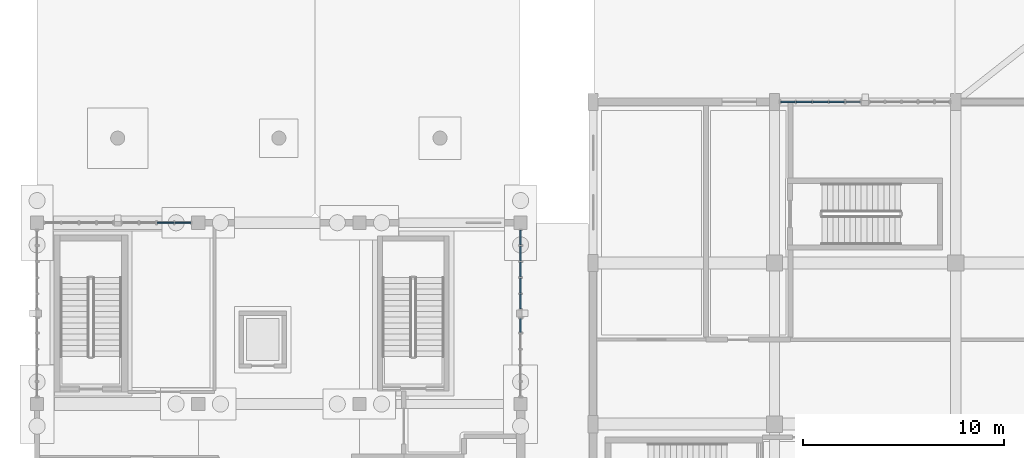
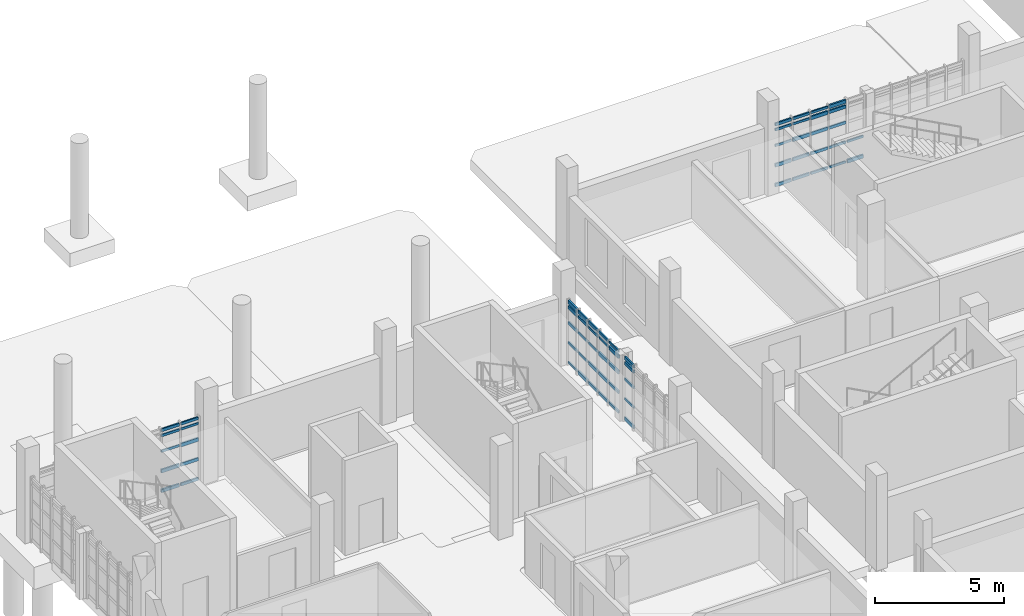
# One storey, part 25 of 63: 62 members, 4 elements without a shape of their own.
"""IFC4 building model written with IfcOpenShell, lengths in metres."""

from ifc_helpers import new_model, si_unit, direction, frame, origin, origin_2d, place, context, subcontext, project, spatial, rectangle, extrude, material, material_profile, profile_set, type_object, element, aggregate, save


model = new_model("IFC4")

# Units and contexts
model_context = context("Model", 3, precision=1e-05, world=origin(), true_north=direction((0.0, 1.0)))
body_context = subcontext(model_context, "Body", "Model", "MODEL_VIEW")
ifc_project = project(units=[si_unit("LENGTHUNIT", "METRE"), si_unit("AREAUNIT", "SQUARE_METRE"), si_unit("VOLUMEUNIT", "CUBIC_METRE"), si_unit("PLANEANGLEUNIT", "RADIAN"), si_unit("MASSUNIT", "GRAM", prefix="KILO")], contexts=[model_context])

# Site, building, storey
site_placement = place(None, origin())
site = spatial("IfcSite", under=ifc_project, at=site_placement, CompositionType="ELEMENT")
building_placement = place(site_placement, origin())
building = spatial("IfcBuilding", under=site, at=building_placement, Name="Serraforn Aerial Cableway Station", CompositionType="ELEMENT")
storey_placement = place(building_placement, origin())
storey = spatial("IfcBuildingStorey", under=building, at=storey_placement, Name="L00", CompositionType="ELEMENT", Elevation=0.0)

# Curtain wall, members
ifc_material_1 = material(Name="Anodised bronze unitised curtain wall")
curtain_wall_type_1 = type_object("IfcCurtainWallType", Name="CW-SYS-1", PredefinedType="USERDEFINED", material=ifc_material_1)
curtain_wall_1_placement = place(storey_placement, origin())
curtain_wall_1 = element("IfcCurtainWall", 1, at=curtain_wall_1_placement, inside=storey, type_object=curtain_wall_type_1, Name="Unitised Curtain Wall CW-W-L00-N1A", ObjectType="UNITISED CURTAIN WALL", PredefinedType="USERDEFINED")
ifc_material_2 = material(Name="Anodised bronze extruded aluminium", Category="aluminium")
ifc_material_profile_1 = material_profile(ifc_material_2, rectangle(XDim=0.054931640625, YDim=0.110107421875, at=origin_2d()), Name="CW TRANSOM 55x110")
ifc_profile_set_1 = profile_set([ifc_material_profile_1], Name="Anodised bronze extruded aluminium")
member_type_1 = type_object("IfcMemberType", Name="CW-TRN-1", PredefinedType="USERDEFINED", material=ifc_profile_set_1)
member_1_placement = place(storey_placement, frame((7.618896484375, 36.0, 2.74560546875), z_axis=(-1.0, 0.0, 0.0), x_axis=(0.0, -1.0, 0.0)))
member_1 = element("IfcMember", 2, at=member_1_placement, type_object=member_type_1, Name="Curtain Wall Transom CW-W-L00-N1A-T1-4", ObjectType="TRANSOM", PredefinedType="USERDEFINED", context=body_context, shape_type="SweptSolid", body=[
    extrude(rectangle(XDim=0.054931640625, YDim=0.110107421875, at=origin_2d()), origin(), (0.0, 0.0, 1.0), 0.78564453125),
])
member_2_placement = place(storey_placement, frame((6.772216796875, 36.0, 1.996826171875), z_axis=(-1.0, 0.0, 0.0), x_axis=(0.0, -1.0, 0.0)))
member_2 = element("IfcMember", 3, at=member_2_placement, type_object=member_type_1, Name="Curtain Wall Transom CW-W-L00-N1A-T2-3", ObjectType="TRANSOM", PredefinedType="USERDEFINED", context=body_context, shape_type="SweptSolid", body=[
    extrude(rectangle(XDim=0.054931640625, YDim=0.110107421875, at=origin_2d()), origin(), (0.0, 0.0, 1.0), 0.810791015625),
])

# Curtain wall, member
curtain_wall_type_2 = type_object("IfcCurtainWallType", Name="CW-SYS-9", PredefinedType="USERDEFINED", material=ifc_material_1)
curtain_wall_2_placement = place(storey_placement, origin())
curtain_wall_2 = element("IfcCurtainWall", 4, at=curtain_wall_2_placement, inside=storey, type_object=curtain_wall_type_2, Name="Unitised Curtain Wall CW-W-L00-E4A", ObjectType="UNITISED CURTAIN WALL", PredefinedType="USERDEFINED")
member_3_placement = place(storey_placement, frame((24.0, 30.5537109375, 1.060791015625), z_axis=(0.0, 1.0, 0.0), x_axis=(-1.0, 0.0, 0.0)))
member_3 = element("IfcMember", 5, at=member_3_placement, type_object=member_type_1, Name="Curtain Wall Transom CW-W-L00-E4A-T5-2", ObjectType="TRANSOM", PredefinedType="USERDEFINED", context=body_context, shape_type="SweptSolid", body=[
    extrude(rectangle(XDim=0.054931640625, YDim=0.110107421875, at=origin_2d()), origin(), (0.0, 0.0, 1.0), 0.693359375),
])

# Curtain wall, members
curtain_wall_type_3 = type_object("IfcCurtainWallType", Name="CW-SYS-10", PredefinedType="USERDEFINED", material=ifc_material_1)
curtain_wall_3_placement = place(storey_placement, origin())
curtain_wall_3 = element("IfcCurtainWall", 6, at=curtain_wall_3_placement, inside=storey, type_object=curtain_wall_type_3, Name="Unitised Curtain Wall CW-W-L00-E4B", ObjectType="UNITISED CURTAIN WALL", PredefinedType="USERDEFINED")
member_4_placement = place(storey_placement, frame((24.0, 31.73291015625, 2.9951171875), z_axis=(0.0, 1.0, 0.0), x_axis=(-1.0, 0.0, 0.0)))
member_4 = element("IfcMember", 7, at=member_4_placement, type_object=member_type_1, Name="Curtain Wall Transom CW-W-L00-E4B-T1-5", ObjectType="TRANSOM", PredefinedType="USERDEFINED", context=body_context, shape_type="SweptSolid", body=[
    extrude(rectangle(XDim=0.054931640625, YDim=0.110107421875, at=origin_2d()), origin(), (0.0, 0.0, 1.0), 0.718505859375),
])
member_5_placement = place(storey_placement, frame((24.0, 32.50732421875, 2.74560546875), z_axis=(0.0, 1.0, 0.0), x_axis=(-1.0, 0.0, 0.0)))
member_5 = element("IfcMember", 8, at=member_5_placement, type_object=member_type_1, Name="Curtain Wall Transom CW-W-L00-E4B-T2-4", ObjectType="TRANSOM", PredefinedType="USERDEFINED", context=body_context, shape_type="SweptSolid", body=[
    extrude(rectangle(XDim=0.054931640625, YDim=0.110107421875, at=origin_2d()), origin(), (0.0, 0.0, 1.0), 0.740966796875),
])
member_6_placement = place(storey_placement, frame((24.0, 33.309326171875, 1.996826171875), z_axis=(0.0, 1.0, 0.0), x_axis=(-1.0, 0.0, 0.0)))
member_6 = element("IfcMember", 9, at=member_6_placement, type_object=member_type_1, Name="Curtain Wall Transom CW-W-L00-E4B-T3-3", ObjectType="TRANSOM", PredefinedType="USERDEFINED", context=body_context, shape_type="SweptSolid", body=[
    extrude(rectangle(XDim=0.054931640625, YDim=0.110107421875, at=origin_2d()), origin(), (0.0, 0.0, 1.0), 0.73583984375),
])
member_7_placement = place(storey_placement, frame((24.0, 34.111083984375, 1.060791015625), z_axis=(0.0, 1.0, 0.0), x_axis=(-1.0, 0.0, 0.0)))
member_7 = element("IfcMember", 10, at=member_7_placement, type_object=member_type_1, Name="Curtain Wall Transom CW-W-L00-E4B-T4-2", ObjectType="TRANSOM", PredefinedType="USERDEFINED", context=body_context, shape_type="SweptSolid", body=[
    extrude(rectangle(XDim=0.054931640625, YDim=0.110107421875, at=origin_2d()), origin(), (0.0, 0.0, 1.0), 0.73095703125),
])
member_8_placement = place(storey_placement, frame((24.0, 34.9130859375, 0.124755859375), z_axis=(0.0, 1.0, 0.0), x_axis=(-1.0, 0.0, 0.0)))
member_8 = element("IfcMember", 11, at=member_8_placement, type_object=member_type_1, Name="Curtain Wall Transom CW-W-L00-E4B-T5-1", ObjectType="TRANSOM", PredefinedType="USERDEFINED", context=body_context, shape_type="SweptSolid", body=[
    extrude(rectangle(XDim=0.054931640625, YDim=0.110107421875, at=origin_2d()), origin(), (0.0, 0.0, 1.0), 0.7109375),
])

curtain_wall_type_4 = type_object("IfcCurtainWallType", Name="CW-SYS-2", PredefinedType="USERDEFINED", material=ifc_material_1)
curtain_wall_4_placement = place(storey_placement, origin())
curtain_wall_4 = element("IfcCurtainWall", 12, at=curtain_wall_4_placement, inside=storey, type_object=curtain_wall_type_4, Name="Unitised Curtain Wall CW-CV-L00-N2B", ObjectType="UNITISED CURTAIN WALL", PredefinedType="USERDEFINED")
member_9_placement = place(storey_placement, frame((40.85205078125, 42.0, 1.060791015625), z_axis=(-1.0, 0.0, 0.0), x_axis=(0.0, -1.0, 0.0)))
member_9 = element("IfcMember", 13, at=member_9_placement, type_object=member_type_1, Name="Curtain Wall Transom CW-CV-L00-N2B-T1-2", ObjectType="TRANSOM", PredefinedType="USERDEFINED", context=body_context, shape_type="SweptSolid", body=[
    extrude(rectangle(XDim=0.054931640625, YDim=0.110107421875, at=origin_2d()), origin(), (0.0, 0.0, 1.0), 0.7109375),
])
member_10_placement = place(storey_placement, frame((40.070068359375, 42.0, 0.124755859375), z_axis=(-1.0, 0.0, 0.0), x_axis=(0.0, -1.0, 0.0)))
member_10 = element("IfcMember", 14, at=member_10_placement, type_object=member_type_1, Name="Curtain Wall Transom CW-CV-L00-N2B-T2-1", ObjectType="TRANSOM", PredefinedType="USERDEFINED", context=body_context, shape_type="SweptSolid", body=[
    extrude(rectangle(XDim=0.054931640625, YDim=0.110107421875, at=origin_2d()), origin(), (0.0, 0.0, 1.0), 0.75341796875),
])
member_11_placement = place(storey_placement, frame((39.265625, 42.0, 2.9951171875), z_axis=(-1.0, 0.0, 0.0), x_axis=(0.0, -1.0, 0.0)))
member_11 = element("IfcMember", 15, at=member_11_placement, type_object=member_type_1, Name="Curtain Wall Transom CW-CV-L00-N2B-T3-5", ObjectType="TRANSOM", PredefinedType="USERDEFINED", context=body_context, shape_type="SweptSolid", body=[
    extrude(rectangle(XDim=0.054931640625, YDim=0.110107421875, at=origin_2d()), origin(), (0.0, 0.0, 1.0), 0.7607421875),
])
member_12_placement = place(storey_placement, frame((38.44873046875, 42.0, 2.74560546875), z_axis=(-1.0, 0.0, 0.0), x_axis=(0.0, -1.0, 0.0)))
member_12 = element("IfcMember", 16, at=member_12_placement, type_object=member_type_1, Name="Curtain Wall Transom CW-CV-L00-N2B-T4-4", ObjectType="TRANSOM", PredefinedType="USERDEFINED", context=body_context, shape_type="SweptSolid", body=[
    extrude(rectangle(XDim=0.054931640625, YDim=0.110107421875, at=origin_2d()), origin(), (0.0, 0.0, 1.0), 0.755859375),
])
member_13_placement = place(storey_placement, frame((37.6318359375, 42.0, 1.996826171875), z_axis=(-1.0, 0.0, 0.0), x_axis=(0.0, -1.0, 0.0)))
member_13 = element("IfcMember", 17, at=member_13_placement, type_object=member_type_1, Name="Curtain Wall Transom CW-CV-L00-N2B-T5-3", ObjectType="TRANSOM", PredefinedType="USERDEFINED", context=body_context, shape_type="SweptSolid", body=[
    extrude(rectangle(XDim=0.054931640625, YDim=0.110107421875, at=origin_2d()), origin(), (0.0, 0.0, 1.0), 0.7158203125),
])

# Member
ifc_material_profile_2 = material_profile(ifc_material_2, rectangle(XDim=0.06005859375, YDim=0.1201171875, at=origin_2d()), Name="CW TRANSOM 60x120")
ifc_profile_set_2 = profile_set([ifc_material_profile_2], Name="Anodised bronze extruded aluminium")
member_type_2 = type_object("IfcMemberType", Name="CW-TRN-2", PredefinedType="USERDEFINED", material=ifc_profile_set_2)
member_14_placement = place(storey_placement, frame((7.618896484375, 36.0, 2.9951171875), z_axis=(-1.0, 0.0, 0.0), x_axis=(0.0, -1.0, 0.0)))
member_14 = element("IfcMember", 18, at=member_14_placement, type_object=member_type_2, Name="Curtain Wall Transom CW-W-L00-N1A-T1-5", ObjectType="TRANSOM", PredefinedType="USERDEFINED", context=body_context, shape_type="SweptSolid", body=[
    extrude(rectangle(XDim=0.06005859375, YDim=0.1201171875, at=origin_2d()), origin(), (0.0, 0.0, 1.0), 0.78564453125),
])

member_15_placement = place(storey_placement, frame((6.772216796875, 36.0, 2.74560546875), z_axis=(-1.0, 0.0, 0.0), x_axis=(0.0, -1.0, 0.0)))
member_15 = element("IfcMember", 19, at=member_15_placement, type_object=member_type_2, Name="Curtain Wall Transom CW-W-L00-N1A-T2-4", ObjectType="TRANSOM", PredefinedType="USERDEFINED", context=body_context, shape_type="SweptSolid", body=[
    extrude(rectangle(XDim=0.06005859375, YDim=0.1201171875, at=origin_2d()), origin(), (0.0, 0.0, 1.0), 0.810791015625),
])

member_16_placement = place(storey_placement, frame((24.0, 30.5537109375, 1.996826171875), z_axis=(0.0, 1.0, 0.0), x_axis=(-1.0, 0.0, 0.0)))
member_16 = element("IfcMember", 20, at=member_16_placement, type_object=member_type_2, Name="Curtain Wall Transom CW-W-L00-E4A-T5-3", ObjectType="TRANSOM", PredefinedType="USERDEFINED", context=body_context, shape_type="SweptSolid", body=[
    extrude(rectangle(XDim=0.06005859375, YDim=0.1201171875, at=origin_2d()), origin(), (0.0, 0.0, 1.0), 0.693359375),
])

member_17_placement = place(storey_placement, frame((24.0, 31.73291015625, 0.124755859375), z_axis=(0.0, 1.0, 0.0), x_axis=(-1.0, 0.0, 0.0)))
member_17 = element("IfcMember", 21, at=member_17_placement, type_object=member_type_2, Name="Curtain Wall Transom CW-W-L00-E4B-T1-1", ObjectType="TRANSOM", PredefinedType="USERDEFINED", context=body_context, shape_type="SweptSolid", body=[
    extrude(rectangle(XDim=0.06005859375, YDim=0.1201171875, at=origin_2d()), origin(), (0.0, 0.0, 1.0), 0.718505859375),
])

member_18_placement = place(storey_placement, frame((24.0, 32.50732421875, 2.9951171875), z_axis=(0.0, 1.0, 0.0), x_axis=(-1.0, 0.0, 0.0)))
member_18 = element("IfcMember", 22, at=member_18_placement, type_object=member_type_2, Name="Curtain Wall Transom CW-W-L00-E4B-T2-5", ObjectType="TRANSOM", PredefinedType="USERDEFINED", context=body_context, shape_type="SweptSolid", body=[
    extrude(rectangle(XDim=0.06005859375, YDim=0.1201171875, at=origin_2d()), origin(), (0.0, 0.0, 1.0), 0.740966796875),
])

member_19_placement = place(storey_placement, frame((24.0, 33.309326171875, 2.74560546875), z_axis=(0.0, 1.0, 0.0), x_axis=(-1.0, 0.0, 0.0)))
member_19 = element("IfcMember", 23, at=member_19_placement, type_object=member_type_2, Name="Curtain Wall Transom CW-W-L00-E4B-T3-4", ObjectType="TRANSOM", PredefinedType="USERDEFINED", context=body_context, shape_type="SweptSolid", body=[
    extrude(rectangle(XDim=0.06005859375, YDim=0.1201171875, at=origin_2d()), origin(), (0.0, 0.0, 1.0), 0.73583984375),
])

member_20_placement = place(storey_placement, frame((24.0, 34.111083984375, 1.996826171875), z_axis=(0.0, 1.0, 0.0), x_axis=(-1.0, 0.0, 0.0)))
member_20 = element("IfcMember", 24, at=member_20_placement, type_object=member_type_2, Name="Curtain Wall Transom CW-W-L00-E4B-T4-3", ObjectType="TRANSOM", PredefinedType="USERDEFINED", context=body_context, shape_type="SweptSolid", body=[
    extrude(rectangle(XDim=0.06005859375, YDim=0.1201171875, at=origin_2d()), origin(), (0.0, 0.0, 1.0), 0.73095703125),
])

member_21_placement = place(storey_placement, frame((24.0, 34.9130859375, 1.060791015625), z_axis=(0.0, 1.0, 0.0), x_axis=(-1.0, 0.0, 0.0)))
member_21 = element("IfcMember", 25, at=member_21_placement, type_object=member_type_2, Name="Curtain Wall Transom CW-W-L00-E4B-T5-2", ObjectType="TRANSOM", PredefinedType="USERDEFINED", context=body_context, shape_type="SweptSolid", body=[
    extrude(rectangle(XDim=0.06005859375, YDim=0.1201171875, at=origin_2d()), origin(), (0.0, 0.0, 1.0), 0.7109375),
])

member_22_placement = place(storey_placement, frame((40.070068359375, 42.0, 1.060791015625), z_axis=(-1.0, 0.0, 0.0), x_axis=(0.0, -1.0, 0.0)))
member_22 = element("IfcMember", 26, at=member_22_placement, type_object=member_type_2, Name="Curtain Wall Transom CW-CV-L00-N2B-T2-2", ObjectType="TRANSOM", PredefinedType="USERDEFINED", context=body_context, shape_type="SweptSolid", body=[
    extrude(rectangle(XDim=0.06005859375, YDim=0.1201171875, at=origin_2d()), origin(), (0.0, 0.0, 1.0), 0.75341796875),
])

member_23_placement = place(storey_placement, frame((39.265625, 42.0, 0.124755859375), z_axis=(-1.0, 0.0, 0.0), x_axis=(0.0, -1.0, 0.0)))
member_23 = element("IfcMember", 27, at=member_23_placement, type_object=member_type_2, Name="Curtain Wall Transom CW-CV-L00-N2B-T3-1", ObjectType="TRANSOM", PredefinedType="USERDEFINED", context=body_context, shape_type="SweptSolid", body=[
    extrude(rectangle(XDim=0.06005859375, YDim=0.1201171875, at=origin_2d()), origin(), (0.0, 0.0, 1.0), 0.7607421875),
])

member_24_placement = place(storey_placement, frame((38.44873046875, 42.0, 2.9951171875), z_axis=(-1.0, 0.0, 0.0), x_axis=(0.0, -1.0, 0.0)))
member_24 = element("IfcMember", 28, at=member_24_placement, type_object=member_type_2, Name="Curtain Wall Transom CW-CV-L00-N2B-T4-5", ObjectType="TRANSOM", PredefinedType="USERDEFINED", context=body_context, shape_type="SweptSolid", body=[
    extrude(rectangle(XDim=0.06005859375, YDim=0.1201171875, at=origin_2d()), origin(), (0.0, 0.0, 1.0), 0.755859375),
])

member_25_placement = place(storey_placement, frame((37.6318359375, 42.0, 2.74560546875), z_axis=(-1.0, 0.0, 0.0), x_axis=(0.0, -1.0, 0.0)))
member_25 = element("IfcMember", 29, at=member_25_placement, type_object=member_type_2, Name="Curtain Wall Transom CW-CV-L00-N2B-T5-4", ObjectType="TRANSOM", PredefinedType="USERDEFINED", context=body_context, shape_type="SweptSolid", body=[
    extrude(rectangle(XDim=0.06005859375, YDim=0.1201171875, at=origin_2d()), origin(), (0.0, 0.0, 1.0), 0.7158203125),
])

ifc_material_profile_3 = material_profile(ifc_material_2, rectangle(XDim=0.06494140625, YDim=0.135009765625, at=origin_2d()), Name="CW TRANSOM 65x135")
ifc_profile_set_3 = profile_set([ifc_material_profile_3], Name="Anodised bronze extruded aluminium")
member_type_3 = type_object("IfcMemberType", Name="CW-TRN-3", PredefinedType="USERDEFINED", material=ifc_profile_set_3)
member_26_placement = place(storey_placement, frame((7.618896484375, 36.0, 0.124755859375), z_axis=(-1.0, 0.0, 0.0), x_axis=(0.0, -1.0, 0.0)))
member_26 = element("IfcMember", 30, at=member_26_placement, type_object=member_type_3, Name="Curtain Wall Transom CW-W-L00-N1A-T1-1", ObjectType="TRANSOM", PredefinedType="USERDEFINED", context=body_context, shape_type="SweptSolid", body=[
    extrude(rectangle(XDim=0.06494140625, YDim=0.135009765625, at=origin_2d()), origin(), (0.0, 0.0, 1.0), 0.78564453125),
])

member_27_placement = place(storey_placement, frame((6.772216796875, 36.0, 2.9951171875), z_axis=(-1.0, 0.0, 0.0), x_axis=(0.0, -1.0, 0.0)))
member_27 = element("IfcMember", 31, at=member_27_placement, type_object=member_type_3, Name="Curtain Wall Transom CW-W-L00-N1A-T2-5", ObjectType="TRANSOM", PredefinedType="USERDEFINED", context=body_context, shape_type="SweptSolid", body=[
    extrude(rectangle(XDim=0.06494140625, YDim=0.135009765625, at=origin_2d()), origin(), (0.0, 0.0, 1.0), 0.810791015625),
])

member_28_placement = place(storey_placement, frame((24.0, 30.5537109375, 2.74560546875), z_axis=(0.0, 1.0, 0.0), x_axis=(-1.0, 0.0, 0.0)))
member_28 = element("IfcMember", 32, at=member_28_placement, type_object=member_type_3, Name="Curtain Wall Transom CW-W-L00-E4A-T5-4", ObjectType="TRANSOM", PredefinedType="USERDEFINED", context=body_context, shape_type="SweptSolid", body=[
    extrude(rectangle(XDim=0.06494140625, YDim=0.135009765625, at=origin_2d()), origin(), (0.0, 0.0, 1.0), 0.693359375),
])

member_29_placement = place(storey_placement, frame((24.0, 31.73291015625, 1.060791015625), z_axis=(0.0, 1.0, 0.0), x_axis=(-1.0, 0.0, 0.0)))
member_29 = element("IfcMember", 33, at=member_29_placement, type_object=member_type_3, Name="Curtain Wall Transom CW-W-L00-E4B-T1-2", ObjectType="TRANSOM", PredefinedType="USERDEFINED", context=body_context, shape_type="SweptSolid", body=[
    extrude(rectangle(XDim=0.06494140625, YDim=0.135009765625, at=origin_2d()), origin(), (0.0, 0.0, 1.0), 0.718505859375),
])

member_30_placement = place(storey_placement, frame((24.0, 32.50732421875, 0.124755859375), z_axis=(0.0, 1.0, 0.0), x_axis=(-1.0, 0.0, 0.0)))
member_30 = element("IfcMember", 34, at=member_30_placement, type_object=member_type_3, Name="Curtain Wall Transom CW-W-L00-E4B-T2-1", ObjectType="TRANSOM", PredefinedType="USERDEFINED", context=body_context, shape_type="SweptSolid", body=[
    extrude(rectangle(XDim=0.06494140625, YDim=0.135009765625, at=origin_2d()), origin(), (0.0, 0.0, 1.0), 0.740966796875),
])

member_31_placement = place(storey_placement, frame((24.0, 33.309326171875, 2.9951171875), z_axis=(0.0, 1.0, 0.0), x_axis=(-1.0, 0.0, 0.0)))
member_31 = element("IfcMember", 35, at=member_31_placement, type_object=member_type_3, Name="Curtain Wall Transom CW-W-L00-E4B-T3-5", ObjectType="TRANSOM", PredefinedType="USERDEFINED", context=body_context, shape_type="SweptSolid", body=[
    extrude(rectangle(XDim=0.06494140625, YDim=0.135009765625, at=origin_2d()), origin(), (0.0, 0.0, 1.0), 0.73583984375),
])

member_32_placement = place(storey_placement, frame((24.0, 34.111083984375, 2.74560546875), z_axis=(0.0, 1.0, 0.0), x_axis=(-1.0, 0.0, 0.0)))
member_32 = element("IfcMember", 36, at=member_32_placement, type_object=member_type_3, Name="Curtain Wall Transom CW-W-L00-E4B-T4-4", ObjectType="TRANSOM", PredefinedType="USERDEFINED", context=body_context, shape_type="SweptSolid", body=[
    extrude(rectangle(XDim=0.06494140625, YDim=0.135009765625, at=origin_2d()), origin(), (0.0, 0.0, 1.0), 0.73095703125),
])

member_33_placement = place(storey_placement, frame((24.0, 34.9130859375, 1.996826171875), z_axis=(0.0, 1.0, 0.0), x_axis=(-1.0, 0.0, 0.0)))
member_33 = element("IfcMember", 37, at=member_33_placement, type_object=member_type_3, Name="Curtain Wall Transom CW-W-L00-E4B-T5-3", ObjectType="TRANSOM", PredefinedType="USERDEFINED", context=body_context, shape_type="SweptSolid", body=[
    extrude(rectangle(XDim=0.06494140625, YDim=0.135009765625, at=origin_2d()), origin(), (0.0, 0.0, 1.0), 0.7109375),
])

member_34_placement = place(storey_placement, frame((40.070068359375, 42.0, 1.996826171875), z_axis=(-1.0, 0.0, 0.0), x_axis=(0.0, -1.0, 0.0)))
member_34 = element("IfcMember", 38, at=member_34_placement, type_object=member_type_3, Name="Curtain Wall Transom CW-CV-L00-N2B-T2-3", ObjectType="TRANSOM", PredefinedType="USERDEFINED", context=body_context, shape_type="SweptSolid", body=[
    extrude(rectangle(XDim=0.06494140625, YDim=0.135009765625, at=origin_2d()), origin(), (0.0, 0.0, 1.0), 0.75341796875),
])

member_35_placement = place(storey_placement, frame((39.265625, 42.0, 1.060791015625), z_axis=(-1.0, 0.0, 0.0), x_axis=(0.0, -1.0, 0.0)))
member_35 = element("IfcMember", 39, at=member_35_placement, type_object=member_type_3, Name="Curtain Wall Transom CW-CV-L00-N2B-T3-2", ObjectType="TRANSOM", PredefinedType="USERDEFINED", context=body_context, shape_type="SweptSolid", body=[
    extrude(rectangle(XDim=0.06494140625, YDim=0.135009765625, at=origin_2d()), origin(), (0.0, 0.0, 1.0), 0.7607421875),
])

member_36_placement = place(storey_placement, frame((38.44873046875, 42.0, 0.124755859375), z_axis=(-1.0, 0.0, 0.0), x_axis=(0.0, -1.0, 0.0)))
member_36 = element("IfcMember", 40, at=member_36_placement, type_object=member_type_3, Name="Curtain Wall Transom CW-CV-L00-N2B-T4-1", ObjectType="TRANSOM", PredefinedType="USERDEFINED", context=body_context, shape_type="SweptSolid", body=[
    extrude(rectangle(XDim=0.06494140625, YDim=0.135009765625, at=origin_2d()), origin(), (0.0, 0.0, 1.0), 0.755859375),
])

member_37_placement = place(storey_placement, frame((37.6318359375, 42.0, 2.9951171875), z_axis=(-1.0, 0.0, 0.0), x_axis=(0.0, -1.0, 0.0)))
member_37 = element("IfcMember", 41, at=member_37_placement, type_object=member_type_3, Name="Curtain Wall Transom CW-CV-L00-N2B-T5-5", ObjectType="TRANSOM", PredefinedType="USERDEFINED", context=body_context, shape_type="SweptSolid", body=[
    extrude(rectangle(XDim=0.06494140625, YDim=0.135009765625, at=origin_2d()), origin(), (0.0, 0.0, 1.0), 0.7158203125),
])

ifc_material_profile_4 = material_profile(ifc_material_2, rectangle(XDim=0.070068359375, YDim=0.14990234375, at=origin_2d()), Name="CW TRANSOM 70x150")
ifc_profile_set_4 = profile_set([ifc_material_profile_4], Name="Anodised bronze extruded aluminium")
member_type_4 = type_object("IfcMemberType", Name="CW-TRN-4", PredefinedType="USERDEFINED", material=ifc_profile_set_4)
member_38_placement = place(storey_placement, frame((7.618896484375, 36.0, 1.060791015625), z_axis=(-1.0, 0.0, 0.0), x_axis=(0.0, -1.0, 0.0)))
member_38 = element("IfcMember", 42, at=member_38_placement, type_object=member_type_4, Name="Curtain Wall Transom CW-W-L00-N1A-T1-2", ObjectType="TRANSOM", PredefinedType="USERDEFINED", context=body_context, shape_type="SweptSolid", body=[
    extrude(rectangle(XDim=0.070068359375, YDim=0.14990234375, at=origin_2d()), origin(), (0.0, 0.0, 1.0), 0.78564453125),
])

member_39_placement = place(storey_placement, frame((6.772216796875, 36.0, 0.124755859375), z_axis=(-1.0, 0.0, 0.0), x_axis=(0.0, -1.0, 0.0)))
member_39 = element("IfcMember", 43, at=member_39_placement, type_object=member_type_4, Name="Curtain Wall Transom CW-W-L00-N1A-T2-1", ObjectType="TRANSOM", PredefinedType="USERDEFINED", context=body_context, shape_type="SweptSolid", body=[
    extrude(rectangle(XDim=0.070068359375, YDim=0.14990234375, at=origin_2d()), origin(), (0.0, 0.0, 1.0), 0.810791015625),
])

member_40_placement = place(storey_placement, frame((24.0, 30.5537109375, 2.9951171875), z_axis=(0.0, 1.0, 0.0), x_axis=(-1.0, 0.0, 0.0)))
member_40 = element("IfcMember", 44, at=member_40_placement, type_object=member_type_4, Name="Curtain Wall Transom CW-W-L00-E4A-T5-5", ObjectType="TRANSOM", PredefinedType="USERDEFINED", context=body_context, shape_type="SweptSolid", body=[
    extrude(rectangle(XDim=0.070068359375, YDim=0.14990234375, at=origin_2d()), origin(), (0.0, 0.0, 1.0), 0.693359375),
])

member_41_placement = place(storey_placement, frame((24.0, 31.73291015625, 1.996826171875), z_axis=(0.0, 1.0, 0.0), x_axis=(-1.0, 0.0, 0.0)))
member_41 = element("IfcMember", 45, at=member_41_placement, type_object=member_type_4, Name="Curtain Wall Transom CW-W-L00-E4B-T1-3", ObjectType="TRANSOM", PredefinedType="USERDEFINED", context=body_context, shape_type="SweptSolid", body=[
    extrude(rectangle(XDim=0.070068359375, YDim=0.14990234375, at=origin_2d()), origin(), (0.0, 0.0, 1.0), 0.718505859375),
])

member_42_placement = place(storey_placement, frame((24.0, 32.50732421875, 1.060791015625), z_axis=(0.0, 1.0, 0.0), x_axis=(-1.0, 0.0, 0.0)))
member_42 = element("IfcMember", 46, at=member_42_placement, type_object=member_type_4, Name="Curtain Wall Transom CW-W-L00-E4B-T2-2", ObjectType="TRANSOM", PredefinedType="USERDEFINED", context=body_context, shape_type="SweptSolid", body=[
    extrude(rectangle(XDim=0.070068359375, YDim=0.14990234375, at=origin_2d()), origin(), (0.0, 0.0, 1.0), 0.740966796875),
])

member_43_placement = place(storey_placement, frame((24.0, 33.309326171875, 0.124755859375), z_axis=(0.0, 1.0, 0.0), x_axis=(-1.0, 0.0, 0.0)))
member_43 = element("IfcMember", 47, at=member_43_placement, type_object=member_type_4, Name="Curtain Wall Transom CW-W-L00-E4B-T3-1", ObjectType="TRANSOM", PredefinedType="USERDEFINED", context=body_context, shape_type="SweptSolid", body=[
    extrude(rectangle(XDim=0.070068359375, YDim=0.14990234375, at=origin_2d()), origin(), (0.0, 0.0, 1.0), 0.73583984375),
])

member_44_placement = place(storey_placement, frame((24.0, 34.111083984375, 2.9951171875), z_axis=(0.0, 1.0, 0.0), x_axis=(-1.0, 0.0, 0.0)))
member_44 = element("IfcMember", 48, at=member_44_placement, type_object=member_type_4, Name="Curtain Wall Transom CW-W-L00-E4B-T4-5", ObjectType="TRANSOM", PredefinedType="USERDEFINED", context=body_context, shape_type="SweptSolid", body=[
    extrude(rectangle(XDim=0.070068359375, YDim=0.14990234375, at=origin_2d()), origin(), (0.0, 0.0, 1.0), 0.73095703125),
])

member_45_placement = place(storey_placement, frame((24.0, 34.9130859375, 2.74560546875), z_axis=(0.0, 1.0, 0.0), x_axis=(-1.0, 0.0, 0.0)))
member_45 = element("IfcMember", 49, at=member_45_placement, type_object=member_type_4, Name="Curtain Wall Transom CW-W-L00-E4B-T5-4", ObjectType="TRANSOM", PredefinedType="USERDEFINED", context=body_context, shape_type="SweptSolid", body=[
    extrude(rectangle(XDim=0.070068359375, YDim=0.14990234375, at=origin_2d()), origin(), (0.0, 0.0, 1.0), 0.7109375),
])

member_46_placement = place(storey_placement, frame((40.070068359375, 42.0, 2.74560546875), z_axis=(-1.0, 0.0, 0.0), x_axis=(0.0, -1.0, 0.0)))
member_46 = element("IfcMember", 50, at=member_46_placement, type_object=member_type_4, Name="Curtain Wall Transom CW-CV-L00-N2B-T2-4", ObjectType="TRANSOM", PredefinedType="USERDEFINED", context=body_context, shape_type="SweptSolid", body=[
    extrude(rectangle(XDim=0.070068359375, YDim=0.14990234375, at=origin_2d()), origin(), (0.0, 0.0, 1.0), 0.75341796875),
])

member_47_placement = place(storey_placement, frame((39.265625, 42.0, 1.996826171875), z_axis=(-1.0, 0.0, 0.0), x_axis=(0.0, -1.0, 0.0)))
member_47 = element("IfcMember", 51, at=member_47_placement, type_object=member_type_4, Name="Curtain Wall Transom CW-CV-L00-N2B-T3-3", ObjectType="TRANSOM", PredefinedType="USERDEFINED", context=body_context, shape_type="SweptSolid", body=[
    extrude(rectangle(XDim=0.070068359375, YDim=0.14990234375, at=origin_2d()), origin(), (0.0, 0.0, 1.0), 0.7607421875),
])

member_48_placement = place(storey_placement, frame((38.44873046875, 42.0, 1.060791015625), z_axis=(-1.0, 0.0, 0.0), x_axis=(0.0, -1.0, 0.0)))
member_48 = element("IfcMember", 52, at=member_48_placement, type_object=member_type_4, Name="Curtain Wall Transom CW-CV-L00-N2B-T4-2", ObjectType="TRANSOM", PredefinedType="USERDEFINED", context=body_context, shape_type="SweptSolid", body=[
    extrude(rectangle(XDim=0.070068359375, YDim=0.14990234375, at=origin_2d()), origin(), (0.0, 0.0, 1.0), 0.755859375),
])

member_49_placement = place(storey_placement, frame((37.6318359375, 42.0, 0.124755859375), z_axis=(-1.0, 0.0, 0.0), x_axis=(0.0, -1.0, 0.0)))
member_49 = element("IfcMember", 53, at=member_49_placement, type_object=member_type_4, Name="Curtain Wall Transom CW-CV-L00-N2B-T5-1", ObjectType="TRANSOM", PredefinedType="USERDEFINED", context=body_context, shape_type="SweptSolid", body=[
    extrude(rectangle(XDim=0.070068359375, YDim=0.14990234375, at=origin_2d()), origin(), (0.0, 0.0, 1.0), 0.7158203125),
])

ifc_material_profile_5 = material_profile(ifc_material_2, rectangle(XDim=0.074951171875, YDim=0.1650390625, at=origin_2d()), Name="CW TRANSOM 75x165")
ifc_profile_set_5 = profile_set([ifc_material_profile_5], Name="Anodised bronze extruded aluminium")
member_type_5 = type_object("IfcMemberType", Name="CW-TRN-5", PredefinedType="USERDEFINED", material=ifc_profile_set_5)
member_50_placement = place(storey_placement, frame((7.618896484375, 36.0, 1.996826171875), z_axis=(-1.0, 0.0, 0.0), x_axis=(0.0, -1.0, 0.0)))
member_50 = element("IfcMember", 54, at=member_50_placement, type_object=member_type_5, Name="Curtain Wall Transom CW-W-L00-N1A-T1-3", ObjectType="TRANSOM", PredefinedType="USERDEFINED", context=body_context, shape_type="SweptSolid", body=[
    extrude(rectangle(XDim=0.074951171875, YDim=0.1650390625, at=origin_2d()), origin(), (0.0, 0.0, 1.0), 0.78564453125),
])

member_51_placement = place(storey_placement, frame((6.772216796875, 36.0, 1.060791015625), z_axis=(-1.0, 0.0, 0.0), x_axis=(0.0, -1.0, 0.0)))
member_51 = element("IfcMember", 55, at=member_51_placement, type_object=member_type_5, Name="Curtain Wall Transom CW-W-L00-N1A-T2-2", ObjectType="TRANSOM", PredefinedType="USERDEFINED", context=body_context, shape_type="SweptSolid", body=[
    extrude(rectangle(XDim=0.074951171875, YDim=0.1650390625, at=origin_2d()), origin(), (0.0, 0.0, 1.0), 0.810791015625),
])

aggregate(curtain_wall_1, [member_26, member_38, member_50, member_1, member_14, member_39, member_51, member_2, member_15, member_27])

member_52_placement = place(storey_placement, frame((24.0, 30.5537109375, 0.124755859375), z_axis=(0.0, 1.0, 0.0), x_axis=(-1.0, 0.0, 0.0)))
member_52 = element("IfcMember", 56, at=member_52_placement, type_object=member_type_5, Name="Curtain Wall Transom CW-W-L00-E4A-T5-1", ObjectType="TRANSOM", PredefinedType="USERDEFINED", context=body_context, shape_type="SweptSolid", body=[
    extrude(rectangle(XDim=0.074951171875, YDim=0.1650390625, at=origin_2d()), origin(), (0.0, 0.0, 1.0), 0.693359375),
])

aggregate(curtain_wall_2, [member_52, member_3, member_16, member_28, member_40])

member_53_placement = place(storey_placement, frame((24.0, 31.73291015625, 2.74560546875), z_axis=(0.0, 1.0, 0.0), x_axis=(-1.0, 0.0, 0.0)))
member_53 = element("IfcMember", 57, at=member_53_placement, type_object=member_type_5, Name="Curtain Wall Transom CW-W-L00-E4B-T1-4", ObjectType="TRANSOM", PredefinedType="USERDEFINED", context=body_context, shape_type="SweptSolid", body=[
    extrude(rectangle(XDim=0.074951171875, YDim=0.1650390625, at=origin_2d()), origin(), (0.0, 0.0, 1.0), 0.718505859375),
])

member_54_placement = place(storey_placement, frame((24.0, 32.50732421875, 1.996826171875), z_axis=(0.0, 1.0, 0.0), x_axis=(-1.0, 0.0, 0.0)))
member_54 = element("IfcMember", 58, at=member_54_placement, type_object=member_type_5, Name="Curtain Wall Transom CW-W-L00-E4B-T2-3", ObjectType="TRANSOM", PredefinedType="USERDEFINED", context=body_context, shape_type="SweptSolid", body=[
    extrude(rectangle(XDim=0.074951171875, YDim=0.1650390625, at=origin_2d()), origin(), (0.0, 0.0, 1.0), 0.740966796875),
])

member_55_placement = place(storey_placement, frame((24.0, 33.309326171875, 1.060791015625), z_axis=(0.0, 1.0, 0.0), x_axis=(-1.0, 0.0, 0.0)))
member_55 = element("IfcMember", 59, at=member_55_placement, type_object=member_type_5, Name="Curtain Wall Transom CW-W-L00-E4B-T3-2", ObjectType="TRANSOM", PredefinedType="USERDEFINED", context=body_context, shape_type="SweptSolid", body=[
    extrude(rectangle(XDim=0.074951171875, YDim=0.1650390625, at=origin_2d()), origin(), (0.0, 0.0, 1.0), 0.73583984375),
])

member_56_placement = place(storey_placement, frame((24.0, 34.111083984375, 0.124755859375), z_axis=(0.0, 1.0, 0.0), x_axis=(-1.0, 0.0, 0.0)))
member_56 = element("IfcMember", 60, at=member_56_placement, type_object=member_type_5, Name="Curtain Wall Transom CW-W-L00-E4B-T4-1", ObjectType="TRANSOM", PredefinedType="USERDEFINED", context=body_context, shape_type="SweptSolid", body=[
    extrude(rectangle(XDim=0.074951171875, YDim=0.1650390625, at=origin_2d()), origin(), (0.0, 0.0, 1.0), 0.73095703125),
])

member_57_placement = place(storey_placement, frame((24.0, 34.9130859375, 2.9951171875), z_axis=(0.0, 1.0, 0.0), x_axis=(-1.0, 0.0, 0.0)))
member_57 = element("IfcMember", 61, at=member_57_placement, type_object=member_type_5, Name="Curtain Wall Transom CW-W-L00-E4B-T5-5", ObjectType="TRANSOM", PredefinedType="USERDEFINED", context=body_context, shape_type="SweptSolid", body=[
    extrude(rectangle(XDim=0.074951171875, YDim=0.1650390625, at=origin_2d()), origin(), (0.0, 0.0, 1.0), 0.7109375),
])

aggregate(curtain_wall_3, [member_17, member_29, member_41, member_53, member_4, member_30, member_42, member_54, member_5, member_18, member_43, member_55, member_6, member_19, member_31, member_56, member_7, member_20, member_32, member_44, member_8, member_21, member_33, member_45, member_57])

member_58_placement = place(storey_placement, frame((40.85205078125, 42.0, 0.124755859375), z_axis=(-1.0, 0.0, 0.0), x_axis=(0.0, -1.0, 0.0)))
member_58 = element("IfcMember", 62, at=member_58_placement, type_object=member_type_5, Name="Curtain Wall Transom CW-CV-L00-N2B-T1-1", ObjectType="TRANSOM", PredefinedType="USERDEFINED", context=body_context, shape_type="SweptSolid", body=[
    extrude(rectangle(XDim=0.074951171875, YDim=0.1650390625, at=origin_2d()), origin(), (0.0, 0.0, 1.0), 0.7109375),
])

member_59_placement = place(storey_placement, frame((40.070068359375, 42.0, 2.9951171875), z_axis=(-1.0, 0.0, 0.0), x_axis=(0.0, -1.0, 0.0)))
member_59 = element("IfcMember", 63, at=member_59_placement, type_object=member_type_5, Name="Curtain Wall Transom CW-CV-L00-N2B-T2-5", ObjectType="TRANSOM", PredefinedType="USERDEFINED", context=body_context, shape_type="SweptSolid", body=[
    extrude(rectangle(XDim=0.074951171875, YDim=0.1650390625, at=origin_2d()), origin(), (0.0, 0.0, 1.0), 0.75341796875),
])

member_60_placement = place(storey_placement, frame((39.265625, 42.0, 2.74560546875), z_axis=(-1.0, 0.0, 0.0), x_axis=(0.0, -1.0, 0.0)))
member_60 = element("IfcMember", 64, at=member_60_placement, type_object=member_type_5, Name="Curtain Wall Transom CW-CV-L00-N2B-T3-4", ObjectType="TRANSOM", PredefinedType="USERDEFINED", context=body_context, shape_type="SweptSolid", body=[
    extrude(rectangle(XDim=0.074951171875, YDim=0.1650390625, at=origin_2d()), origin(), (0.0, 0.0, 1.0), 0.7607421875),
])

member_61_placement = place(storey_placement, frame((38.44873046875, 42.0, 1.996826171875), z_axis=(-1.0, 0.0, 0.0), x_axis=(0.0, -1.0, 0.0)))
member_61 = element("IfcMember", 65, at=member_61_placement, type_object=member_type_5, Name="Curtain Wall Transom CW-CV-L00-N2B-T4-3", ObjectType="TRANSOM", PredefinedType="USERDEFINED", context=body_context, shape_type="SweptSolid", body=[
    extrude(rectangle(XDim=0.074951171875, YDim=0.1650390625, at=origin_2d()), origin(), (0.0, 0.0, 1.0), 0.755859375),
])

member_62_placement = place(storey_placement, frame((37.6318359375, 42.0, 1.060791015625), z_axis=(-1.0, 0.0, 0.0), x_axis=(0.0, -1.0, 0.0)))
member_62 = element("IfcMember", 66, at=member_62_placement, type_object=member_type_5, Name="Curtain Wall Transom CW-CV-L00-N2B-T5-2", ObjectType="TRANSOM", PredefinedType="USERDEFINED", context=body_context, shape_type="SweptSolid", body=[
    extrude(rectangle(XDim=0.074951171875, YDim=0.1650390625, at=origin_2d()), origin(), (0.0, 0.0, 1.0), 0.7158203125),
])

aggregate(curtain_wall_4, [member_58, member_9, member_10, member_22, member_34, member_46, member_59, member_23, member_35, member_47, member_60, member_11, member_36, member_48, member_61, member_12, member_24, member_49, member_62, member_13, member_25, member_37])

save(model, "model.ifc")
